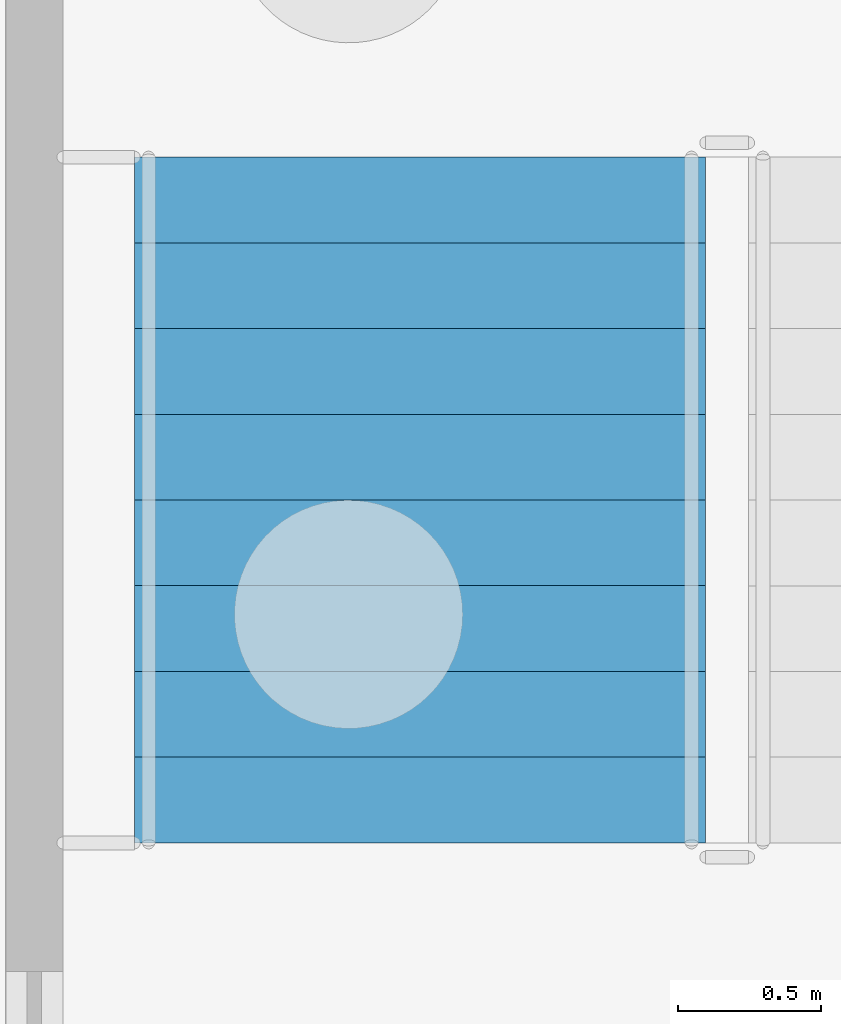
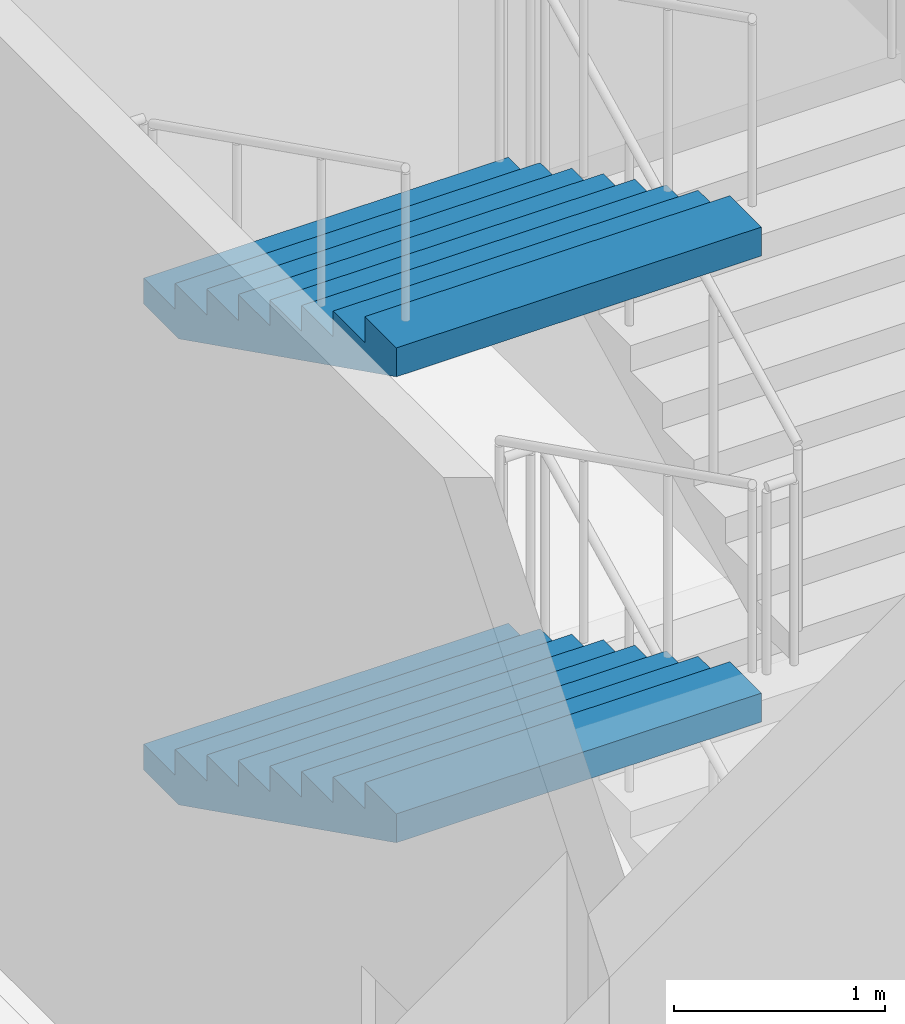
# One storey, part 98 of 129: 2 stair flights, 1 element without a shape of its own.
"""IFC4 building model written with IfcOpenShell, lengths in metres."""

from ifc_helpers import new_model, si_unit, direction, frame, origin, place, context, subcontext, project, spatial, faceted_brep, material, type_object, element, aggregate, save


model = new_model("IFC4")

# Units and contexts
model_context = context("Model", 3, precision=1e-05, world=origin(), true_north=direction((0.0, 1.0)))
body_context = subcontext(model_context, "Body", "Model", "MODEL_VIEW")
ifc_project = project(units=[si_unit("LENGTHUNIT", "METRE"), si_unit("AREAUNIT", "SQUARE_METRE"), si_unit("VOLUMEUNIT", "CUBIC_METRE"), si_unit("PLANEANGLEUNIT", "RADIAN"), si_unit("MASSUNIT", "GRAM", prefix="KILO")], contexts=[model_context])

# Site, building, storey
site_placement = place(None, origin())
site = spatial("IfcSite", under=ifc_project, at=site_placement, CompositionType="ELEMENT")
building_placement = place(site_placement, origin())
building = spatial("IfcBuilding", under=site, at=building_placement, Name="Kiln Court Media Centre", CompositionType="ELEMENT")
storey_placement = place(building_placement, origin())
storey = spatial("IfcBuildingStorey", under=building, at=storey_placement, Name="L00", CompositionType="ELEMENT", Elevation=0.0)

# Stair, stair flights
ifc_material_1 = material(Name="Concrete C40/50", Category="concrete")
stair_type = type_object("IfcStairType", Name="Concrete C40/50 dog-leg stair 2000 wide, 150 riser", PredefinedType="HALF_TURN_STAIR", material=ifc_material_1)
stair_placement = place(storey_placement, origin())
stair = element("IfcStair", 1, at=stair_placement, inside=storey, type_object=stair_type, Name="ST-14 L00", PredefinedType="HALF_TURN_STAIR")
ifc_material_2 = material(Name="Concrete C40/50", Category="concrete")
stair_flight_type = type_object("IfcStairFlightType", Name="Concrete C40/50 stair flight 2000 wide, 150 riser, 300 going", PredefinedType="STRAIGHT", material=ifc_material_2)
stair_flight_1_placement = place(storey_placement, frame((164.64990234375, 38.800048828125, 1.35009765625), z_axis=(0.0, 0.0, 1.0), x_axis=(0.0, -1.0, 0.0)))
stair_flight_1 = element("IfcStairFlight", 2, at=stair_flight_1_placement, type_object=stair_flight_type, Name="L00-ST-5013 flight 5053", NumberOfRisers=9, NumberOfTreads=8, PredefinedType="STRAIGHT", RiserHeight=0.15, TreadLength=0.3, context=body_context, shape_type="Brep", body=[
    faceted_brep([(0.335205078125, -1.0, 0.0), (2.39990234375, -1.0, 1.032470703125), (2.39990234375, -1.0, 1.199951171875), (2.10009765625, -1.0, 1.199951171875), (2.10009765625, -1.0, 1.050048828125), (1.800048828125, -1.0, 1.050048828125), (1.800048828125, -1.0, 0.89990234375), (1.5, -1.0, 0.89990234375), (1.5, -1.0, 0.75), (1.199951171875, -1.0, 0.75), (1.199951171875, -1.0, 0.60009765625), (0.89990234375, -1.0, 0.60009765625), (0.89990234375, -1.0, 0.449951171875), (0.60009765625, -1.0, 0.449951171875), (0.60009765625, -1.0, 0.300048828125), (0.300048828125, -1.0, 0.300048828125), (0.300048828125, -1.0, 0.14990234375), (0.0, -1.0, 0.14990234375), (0.0, -1.0, 0.0), (0.0, 1.0, 0.0), (0.0, 1.0, 0.14990234375), (0.300048828125, 1.0, 0.14990234375), (0.300048828125, 1.0, 0.300048828125), (0.60009765625, 1.0, 0.300048828125), (0.60009765625, 1.0, 0.449951171875), (0.89990234375, 1.0, 0.449951171875), (0.89990234375, 1.0, 0.60009765625), (1.199951171875, 1.0, 0.60009765625), (1.199951171875, 1.0, 0.75), (1.5, 1.0, 0.75), (1.5, 1.0, 0.89990234375), (1.800048828125, 1.0, 0.89990234375), (1.800048828125, 1.0, 1.050048828125), (2.10009765625, 1.0, 1.050048828125), (2.10009765625, 1.0, 1.199951171875), (2.39990234375, 1.0, 1.199951171875), (2.39990234375, 1.0, 1.032470703125), (0.335205078125, 1.0, 0.0), (2.39990234375, 0.10009765625, 1.032470703125), (0.335205078125, 0.10009765625, 0.0), (2.39990234375, 0.080078125, 1.032470703125), (0.335205078125, 0.080078125, 0.0), (2.39990234375, 0.06005859375, 1.032470703125), (0.335205078125, 0.06005859375, 0.0), (2.39990234375, 0.0400390625, 1.032470703125), (0.335205078125, 0.0400390625, 0.0), (2.39990234375, 0.02001953125, 1.032470703125), (0.335205078125, 0.02001953125, 0.0), (2.39990234375, 0.0, 1.032470703125), (0.335205078125, 0.0, 0.0), (2.39990234375, -0.02001953125, 1.032470703125), (0.335205078125, -0.02001953125, 0.0), (2.39990234375, -0.0400390625, 1.032470703125), (0.335205078125, -0.0400390625, 0.0), (2.39990234375, -0.06005859375, 1.032470703125), (0.335205078125, -0.06005859375, 0.0), (2.39990234375, -0.080078125, 1.032470703125), (0.335205078125, -0.080078125, 0.0), (2.39990234375, -0.10009765625, 1.032470703125), (0.335205078125, -0.10009765625, 0.0), (2.39990234375, 0.10009765625, 1.199951171875), (2.39990234375, 0.080078125, 1.199951171875), (2.39990234375, 0.06005859375, 1.199951171875), (2.39990234375, 0.0400390625, 1.199951171875), (2.39990234375, 0.02001953125, 1.199951171875), (2.39990234375, 0.0, 1.199951171875), (2.39990234375, -0.02001953125, 1.199951171875), (2.39990234375, -0.0400390625, 1.199951171875), (2.39990234375, -0.06005859375, 1.199951171875), (2.39990234375, -0.080078125, 1.199951171875), (2.39990234375, -0.10009765625, 1.199951171875), (2.10009765625, 0.10009765625, 1.199951171875), (2.10009765625, 0.080078125, 1.199951171875), (2.10009765625, 0.06005859375, 1.199951171875), (2.10009765625, 0.0400390625, 1.199951171875), (2.10009765625, 0.02001953125, 1.199951171875), (2.10009765625, 0.0, 1.199951171875), (2.10009765625, -0.02001953125, 1.199951171875), (2.10009765625, -0.0400390625, 1.199951171875), (2.10009765625, -0.06005859375, 1.199951171875), (2.10009765625, -0.080078125, 1.199951171875), (2.10009765625, -0.10009765625, 1.199951171875), (2.10009765625, 0.10009765625, 1.050048828125), (2.10009765625, 0.080078125, 1.050048828125), (2.10009765625, 0.06005859375, 1.050048828125), (2.10009765625, 0.0400390625, 1.050048828125), (2.10009765625, 0.02001953125, 1.050048828125), (2.10009765625, 0.0, 1.050048828125), (2.10009765625, -0.02001953125, 1.050048828125), (2.10009765625, -0.0400390625, 1.050048828125), (2.10009765625, -0.06005859375, 1.050048828125), (2.10009765625, -0.080078125, 1.050048828125), (2.10009765625, -0.10009765625, 1.050048828125), (1.800048828125, 0.10009765625, 1.050048828125), (1.800048828125, 0.080078125, 1.050048828125), (1.800048828125, 0.06005859375, 1.050048828125), (1.800048828125, 0.0400390625, 1.050048828125), (1.800048828125, 0.02001953125, 1.050048828125), (1.800048828125, 0.0, 1.050048828125), (1.800048828125, -0.02001953125, 1.050048828125), (1.800048828125, -0.0400390625, 1.050048828125), (1.800048828125, -0.06005859375, 1.050048828125), (1.800048828125, -0.080078125, 1.050048828125), (1.800048828125, -0.10009765625, 1.050048828125), (1.800048828125, 0.10009765625, 0.89990234375), (1.800048828125, 0.080078125, 0.89990234375), (1.800048828125, 0.06005859375, 0.89990234375), (1.800048828125, 0.0400390625, 0.89990234375), (1.800048828125, 0.02001953125, 0.89990234375), (1.800048828125, 0.0, 0.89990234375), (1.800048828125, -0.02001953125, 0.89990234375), (1.800048828125, -0.0400390625, 0.89990234375), (1.800048828125, -0.06005859375, 0.89990234375), (1.800048828125, -0.080078125, 0.89990234375), (1.800048828125, -0.10009765625, 0.89990234375), (1.5, 0.10009765625, 0.89990234375), (1.5, 0.080078125, 0.89990234375), (1.5, 0.06005859375, 0.89990234375), (1.5, 0.0400390625, 0.89990234375), (1.5, 0.02001953125, 0.89990234375), (1.5, 0.0, 0.89990234375), (1.5, -0.02001953125, 0.89990234375), (1.5, -0.0400390625, 0.89990234375), (1.5, -0.06005859375, 0.89990234375), (1.5, -0.080078125, 0.89990234375), (1.5, -0.10009765625, 0.89990234375), (1.5, 0.10009765625, 0.75), (1.5, 0.080078125, 0.75), (1.5, 0.06005859375, 0.75), (1.5, 0.0400390625, 0.75), (1.5, 0.02001953125, 0.75), (1.5, 0.0, 0.75), (1.5, -0.02001953125, 0.75), (1.5, -0.0400390625, 0.75), (1.5, -0.06005859375, 0.75), (1.5, -0.080078125, 0.75), (1.5, -0.10009765625, 0.75), (1.199951171875, 0.10009765625, 0.75), (1.199951171875, 0.080078125, 0.75), (1.199951171875, 0.06005859375, 0.75), (1.199951171875, 0.0400390625, 0.75), (1.199951171875, 0.02001953125, 0.75), (1.199951171875, 0.0, 0.75), (1.199951171875, -0.02001953125, 0.75), (1.199951171875, -0.0400390625, 0.75), (1.199951171875, -0.06005859375, 0.75), (1.199951171875, -0.080078125, 0.75), (1.199951171875, -0.10009765625, 0.75), (1.199951171875, 0.10009765625, 0.60009765625), (1.199951171875, 0.080078125, 0.60009765625), (1.199951171875, 0.06005859375, 0.60009765625), (1.199951171875, 0.0400390625, 0.60009765625), (1.199951171875, 0.02001953125, 0.60009765625), (1.199951171875, 0.0, 0.60009765625), (1.199951171875, -0.02001953125, 0.60009765625), (1.199951171875, -0.0400390625, 0.60009765625), (1.199951171875, -0.06005859375, 0.60009765625), (1.199951171875, -0.080078125, 0.60009765625), (1.199951171875, -0.10009765625, 0.60009765625), (0.89990234375, 0.10009765625, 0.60009765625), (0.89990234375, 0.080078125, 0.60009765625), (0.89990234375, 0.06005859375, 0.60009765625), (0.89990234375, 0.0400390625, 0.60009765625), (0.89990234375, 0.02001953125, 0.60009765625), (0.89990234375, 0.0, 0.60009765625), (0.89990234375, -0.02001953125, 0.60009765625), (0.89990234375, -0.0400390625, 0.60009765625), (0.89990234375, -0.06005859375, 0.60009765625), (0.89990234375, -0.080078125, 0.60009765625), (0.89990234375, -0.10009765625, 0.60009765625), (0.89990234375, 0.10009765625, 0.449951171875), (0.89990234375, 0.080078125, 0.449951171875), (0.89990234375, 0.06005859375, 0.449951171875), (0.89990234375, 0.0400390625, 0.449951171875), (0.89990234375, 0.02001953125, 0.449951171875), (0.89990234375, 0.0, 0.449951171875), (0.89990234375, -0.02001953125, 0.449951171875), (0.89990234375, -0.0400390625, 0.449951171875), (0.89990234375, -0.06005859375, 0.449951171875), (0.89990234375, -0.080078125, 0.449951171875), (0.89990234375, -0.10009765625, 0.449951171875), (0.60009765625, 0.10009765625, 0.449951171875), (0.60009765625, 0.080078125, 0.449951171875), (0.60009765625, 0.06005859375, 0.449951171875), (0.60009765625, 0.0400390625, 0.449951171875), (0.60009765625, 0.02001953125, 0.449951171875), (0.60009765625, 0.0, 0.449951171875), (0.60009765625, -0.02001953125, 0.449951171875), (0.60009765625, -0.0400390625, 0.449951171875), (0.60009765625, -0.06005859375, 0.449951171875), (0.60009765625, -0.080078125, 0.449951171875), (0.60009765625, -0.10009765625, 0.449951171875), (0.60009765625, 0.10009765625, 0.300048828125), (0.60009765625, 0.080078125, 0.300048828125), (0.60009765625, 0.06005859375, 0.300048828125), (0.60009765625, 0.0400390625, 0.300048828125), (0.60009765625, 0.02001953125, 0.300048828125), (0.60009765625, 0.0, 0.300048828125), (0.60009765625, -0.02001953125, 0.300048828125), (0.60009765625, -0.0400390625, 0.300048828125), (0.60009765625, -0.06005859375, 0.300048828125), (0.60009765625, -0.080078125, 0.300048828125), (0.60009765625, -0.10009765625, 0.300048828125), (0.300048828125, 0.10009765625, 0.300048828125), (0.300048828125, 0.080078125, 0.300048828125), (0.300048828125, 0.06005859375, 0.300048828125), (0.300048828125, 0.0400390625, 0.300048828125), (0.300048828125, 0.02001953125, 0.300048828125), (0.300048828125, 0.0, 0.300048828125), (0.300048828125, -0.02001953125, 0.300048828125), (0.300048828125, -0.0400390625, 0.300048828125), (0.300048828125, -0.06005859375, 0.300048828125), (0.300048828125, -0.080078125, 0.300048828125), (0.300048828125, -0.10009765625, 0.300048828125), (0.300048828125, 0.10009765625, 0.14990234375), (0.300048828125, 0.080078125, 0.14990234375), (0.300048828125, 0.06005859375, 0.14990234375), (0.300048828125, 0.0400390625, 0.14990234375), (0.300048828125, 0.02001953125, 0.14990234375), (0.300048828125, 0.0, 0.14990234375), (0.300048828125, -0.02001953125, 0.14990234375), (0.300048828125, -0.0400390625, 0.14990234375), (0.300048828125, -0.06005859375, 0.14990234375), (0.300048828125, -0.080078125, 0.14990234375), (0.300048828125, -0.10009765625, 0.14990234375), (0.0, 0.10009765625, 0.14990234375), (0.0, 0.080078125, 0.14990234375), (0.0, 0.06005859375, 0.14990234375), (0.0, 0.0400390625, 0.14990234375), (0.0, 0.02001953125, 0.14990234375), (0.0, 0.0, 0.14990234375), (0.0, -0.02001953125, 0.14990234375), (0.0, -0.0400390625, 0.14990234375), (0.0, -0.06005859375, 0.14990234375), (0.0, -0.080078125, 0.14990234375), (0.0, -0.10009765625, 0.14990234375), (0.0, 0.10009765625, 0.0), (0.0, 0.080078125, 0.0), (0.0, 0.06005859375, 0.0), (0.0, 0.0400390625, 0.0), (0.0, 0.02001953125, 0.0), (0.0, 0.0, 0.0), (0.0, -0.02001953125, 0.0), (0.0, -0.0400390625, 0.0), (0.0, -0.06005859375, 0.0), (0.0, -0.080078125, 0.0), (0.0, -0.10009765625, 0.0)], [[[0, 1, 2, 3, 4, 5, 6, 7, 8, 9, 10, 11, 12, 13, 14, 15, 16, 17, 18]], [[19, 20, 21, 22, 23, 24, 25, 26, 27, 28, 29, 30, 31, 32, 33, 34, 35, 36, 37]], [[37, 36, 38, 39]], [[39, 38, 40, 41]], [[41, 40, 42, 43]], [[43, 42, 44, 45]], [[45, 44, 46, 47]], [[47, 46, 48, 49]], [[49, 48, 50, 51]], [[51, 50, 52, 53]], [[53, 52, 54, 55]], [[55, 54, 56, 57]], [[57, 56, 58, 59]], [[59, 58, 1, 0]], [[36, 35, 60, 38]], [[38, 60, 61, 40]], [[40, 61, 62, 42]], [[42, 62, 63, 44]], [[44, 63, 64, 46]], [[46, 64, 65, 48]], [[48, 65, 66, 50]], [[50, 66, 67, 52]], [[52, 67, 68, 54]], [[54, 68, 69, 56]], [[56, 69, 70, 58]], [[58, 70, 2, 1]], [[35, 34, 71, 60]], [[60, 71, 72, 61]], [[61, 72, 73, 62]], [[62, 73, 74, 63]], [[63, 74, 75, 64]], [[64, 75, 76, 65]], [[65, 76, 77, 66]], [[66, 77, 78, 67]], [[67, 78, 79, 68]], [[68, 79, 80, 69]], [[69, 80, 81, 70]], [[70, 81, 3, 2]], [[34, 33, 82, 71]], [[71, 82, 83, 72]], [[72, 83, 84, 73]], [[73, 84, 85, 74]], [[74, 85, 86, 75]], [[75, 86, 87, 76]], [[76, 87, 88, 77]], [[77, 88, 89, 78]], [[78, 89, 90, 79]], [[79, 90, 91, 80]], [[80, 91, 92, 81]], [[81, 92, 4, 3]], [[33, 32, 93, 82]], [[82, 93, 94, 83]], [[83, 94, 95, 84]], [[84, 95, 96, 85]], [[85, 96, 97, 86]], [[86, 97, 98, 87]], [[87, 98, 99, 88]], [[88, 99, 100, 89]], [[89, 100, 101, 90]], [[90, 101, 102, 91]], [[91, 102, 103, 92]], [[92, 103, 5, 4]], [[32, 31, 104, 93]], [[93, 104, 105, 94]], [[94, 105, 106, 95]], [[95, 106, 107, 96]], [[96, 107, 108, 97]], [[97, 108, 109, 98]], [[98, 109, 110, 99]], [[99, 110, 111, 100]], [[100, 111, 112, 101]], [[101, 112, 113, 102]], [[102, 113, 114, 103]], [[103, 114, 6, 5]], [[31, 30, 115, 104]], [[104, 115, 116, 105]], [[105, 116, 117, 106]], [[106, 117, 118, 107]], [[107, 118, 119, 108]], [[108, 119, 120, 109]], [[109, 120, 121, 110]], [[110, 121, 122, 111]], [[111, 122, 123, 112]], [[112, 123, 124, 113]], [[113, 124, 125, 114]], [[114, 125, 7, 6]], [[30, 29, 126, 115]], [[115, 126, 127, 116]], [[116, 127, 128, 117]], [[117, 128, 129, 118]], [[118, 129, 130, 119]], [[119, 130, 131, 120]], [[120, 131, 132, 121]], [[121, 132, 133, 122]], [[122, 133, 134, 123]], [[123, 134, 135, 124]], [[124, 135, 136, 125]], [[125, 136, 8, 7]], [[29, 28, 137, 126]], [[126, 137, 138, 127]], [[127, 138, 139, 128]], [[128, 139, 140, 129]], [[129, 140, 141, 130]], [[130, 141, 142, 131]], [[131, 142, 143, 132]], [[132, 143, 144, 133]], [[133, 144, 145, 134]], [[134, 145, 146, 135]], [[135, 146, 147, 136]], [[136, 147, 9, 8]], [[28, 27, 148, 137]], [[137, 148, 149, 138]], [[138, 149, 150, 139]], [[139, 150, 151, 140]], [[140, 151, 152, 141]], [[141, 152, 153, 142]], [[142, 153, 154, 143]], [[143, 154, 155, 144]], [[144, 155, 156, 145]], [[145, 156, 157, 146]], [[146, 157, 158, 147]], [[147, 158, 10, 9]], [[27, 26, 159, 148]], [[148, 159, 160, 149]], [[149, 160, 161, 150]], [[150, 161, 162, 151]], [[151, 162, 163, 152]], [[152, 163, 164, 153]], [[153, 164, 165, 154]], [[154, 165, 166, 155]], [[155, 166, 167, 156]], [[156, 167, 168, 157]], [[157, 168, 169, 158]], [[158, 169, 11, 10]], [[26, 25, 170, 159]], [[159, 170, 171, 160]], [[160, 171, 172, 161]], [[161, 172, 173, 162]], [[162, 173, 174, 163]], [[163, 174, 175, 164]], [[164, 175, 176, 165]], [[165, 176, 177, 166]], [[166, 177, 178, 167]], [[167, 178, 179, 168]], [[168, 179, 180, 169]], [[169, 180, 12, 11]], [[25, 24, 181, 170]], [[170, 181, 182, 171]], [[171, 182, 183, 172]], [[172, 183, 184, 173]], [[173, 184, 185, 174]], [[174, 185, 186, 175]], [[175, 186, 187, 176]], [[176, 187, 188, 177]], [[177, 188, 189, 178]], [[178, 189, 190, 179]], [[179, 190, 191, 180]], [[180, 191, 13, 12]], [[24, 23, 192, 181]], [[181, 192, 193, 182]], [[182, 193, 194, 183]], [[183, 194, 195, 184]], [[184, 195, 196, 185]], [[185, 196, 197, 186]], [[186, 197, 198, 187]], [[187, 198, 199, 188]], [[188, 199, 200, 189]], [[189, 200, 201, 190]], [[190, 201, 202, 191]], [[191, 202, 14, 13]], [[23, 22, 203, 192]], [[192, 203, 204, 193]], [[193, 204, 205, 194]], [[194, 205, 206, 195]], [[195, 206, 207, 196]], [[196, 207, 208, 197]], [[197, 208, 209, 198]], [[198, 209, 210, 199]], [[199, 210, 211, 200]], [[200, 211, 212, 201]], [[201, 212, 213, 202]], [[202, 213, 15, 14]], [[22, 21, 214, 203]], [[203, 214, 215, 204]], [[204, 215, 216, 205]], [[205, 216, 217, 206]], [[206, 217, 218, 207]], [[207, 218, 219, 208]], [[208, 219, 220, 209]], [[209, 220, 221, 210]], [[210, 221, 222, 211]], [[211, 222, 223, 212]], [[212, 223, 224, 213]], [[213, 224, 16, 15]], [[21, 20, 225, 214]], [[214, 225, 226, 215]], [[215, 226, 227, 216]], [[216, 227, 228, 217]], [[217, 228, 229, 218]], [[218, 229, 230, 219]], [[219, 230, 231, 220]], [[220, 231, 232, 221]], [[221, 232, 233, 222]], [[222, 233, 234, 223]], [[223, 234, 235, 224]], [[224, 235, 17, 16]], [[20, 19, 236, 225]], [[225, 236, 237, 226]], [[226, 237, 238, 227]], [[227, 238, 239, 228]], [[228, 239, 240, 229]], [[229, 240, 241, 230]], [[230, 241, 242, 231]], [[231, 242, 243, 232]], [[232, 243, 244, 233]], [[233, 244, 245, 234]], [[234, 245, 246, 235]], [[235, 246, 18, 17]], [[19, 37, 39, 236]], [[236, 39, 41, 237]], [[237, 41, 43, 238]], [[238, 43, 45, 239]], [[239, 45, 47, 240]], [[240, 47, 49, 241]], [[241, 49, 51, 242]], [[242, 51, 53, 243]], [[243, 53, 55, 244]], [[244, 55, 57, 245]], [[245, 57, 59, 246]], [[246, 59, 0, 18]]]),
])
stair_flight_2_placement = place(storey_placement, frame((164.64990234375, 38.800048828125, 4.050048828125), z_axis=(0.0, 0.0, 1.0), x_axis=(0.0, -1.0, 0.0)))
stair_flight_2 = element("IfcStairFlight", 3, at=stair_flight_2_placement, type_object=stair_flight_type, Name="L00-ST-5013 flight 5055", NumberOfRisers=9, NumberOfTreads=8, PredefinedType="STRAIGHT", RiserHeight=0.15, TreadLength=0.3, context=body_context, shape_type="Brep", body=[
    faceted_brep([(0.335205078125, -1.0, 0.0), (2.39990234375, -1.0, 1.032470703125), (2.39990234375, -1.0, 1.199951171875), (2.10009765625, -1.0, 1.199951171875), (2.10009765625, -1.0, 1.050048828125), (1.800048828125, -1.0, 1.050048828125), (1.800048828125, -1.0, 0.89990234375), (1.5, -1.0, 0.89990234375), (1.5, -1.0, 0.75), (1.199951171875, -1.0, 0.75), (1.199951171875, -1.0, 0.60009765625), (0.89990234375, -1.0, 0.60009765625), (0.89990234375, -1.0, 0.449951171875), (0.60009765625, -1.0, 0.449951171875), (0.60009765625, -1.0, 0.300048828125), (0.300048828125, -1.0, 0.300048828125), (0.300048828125, -1.0, 0.14990234375), (0.0, -1.0, 0.14990234375), (0.0, -1.0, 0.0), (0.0, 1.0, 0.0), (0.0, 1.0, 0.14990234375), (0.300048828125, 1.0, 0.14990234375), (0.300048828125, 1.0, 0.300048828125), (0.60009765625, 1.0, 0.300048828125), (0.60009765625, 1.0, 0.449951171875), (0.89990234375, 1.0, 0.449951171875), (0.89990234375, 1.0, 0.60009765625), (1.199951171875, 1.0, 0.60009765625), (1.199951171875, 1.0, 0.75), (1.5, 1.0, 0.75), (1.5, 1.0, 0.89990234375), (1.800048828125, 1.0, 0.89990234375), (1.800048828125, 1.0, 1.050048828125), (2.10009765625, 1.0, 1.050048828125), (2.10009765625, 1.0, 1.199951171875), (2.39990234375, 1.0, 1.199951171875), (2.39990234375, 1.0, 1.032470703125), (0.335205078125, 1.0, 0.0), (2.39990234375, 0.10009765625, 1.032470703125), (0.335205078125, 0.10009765625, 0.0), (2.39990234375, 0.080078125, 1.032470703125), (0.335205078125, 0.080078125, 0.0), (2.39990234375, 0.06005859375, 1.032470703125), (0.335205078125, 0.06005859375, 0.0), (2.39990234375, 0.0400390625, 1.032470703125), (0.335205078125, 0.0400390625, 0.0), (2.39990234375, 0.02001953125, 1.032470703125), (0.335205078125, 0.02001953125, 0.0), (2.39990234375, 0.0, 1.032470703125), (0.335205078125, 0.0, 0.0), (2.39990234375, -0.02001953125, 1.032470703125), (0.335205078125, -0.02001953125, 0.0), (2.39990234375, -0.0400390625, 1.032470703125), (0.335205078125, -0.0400390625, 0.0), (2.39990234375, -0.06005859375, 1.032470703125), (0.335205078125, -0.06005859375, 0.0), (2.39990234375, -0.080078125, 1.032470703125), (0.335205078125, -0.080078125, 0.0), (2.39990234375, -0.10009765625, 1.032470703125), (0.335205078125, -0.10009765625, 0.0), (2.39990234375, 0.10009765625, 1.199951171875), (2.39990234375, 0.080078125, 1.199951171875), (2.39990234375, 0.06005859375, 1.199951171875), (2.39990234375, 0.0400390625, 1.199951171875), (2.39990234375, 0.02001953125, 1.199951171875), (2.39990234375, 0.0, 1.199951171875), (2.39990234375, -0.02001953125, 1.199951171875), (2.39990234375, -0.0400390625, 1.199951171875), (2.39990234375, -0.06005859375, 1.199951171875), (2.39990234375, -0.080078125, 1.199951171875), (2.39990234375, -0.10009765625, 1.199951171875), (2.10009765625, 0.10009765625, 1.199951171875), (2.10009765625, 0.080078125, 1.199951171875), (2.10009765625, 0.06005859375, 1.199951171875), (2.10009765625, 0.0400390625, 1.199951171875), (2.10009765625, 0.02001953125, 1.199951171875), (2.10009765625, 0.0, 1.199951171875), (2.10009765625, -0.02001953125, 1.199951171875), (2.10009765625, -0.0400390625, 1.199951171875), (2.10009765625, -0.06005859375, 1.199951171875), (2.10009765625, -0.080078125, 1.199951171875), (2.10009765625, -0.10009765625, 1.199951171875), (2.10009765625, 0.10009765625, 1.050048828125), (2.10009765625, 0.080078125, 1.050048828125), (2.10009765625, 0.06005859375, 1.050048828125), (2.10009765625, 0.0400390625, 1.050048828125), (2.10009765625, 0.02001953125, 1.050048828125), (2.10009765625, 0.0, 1.050048828125), (2.10009765625, -0.02001953125, 1.050048828125), (2.10009765625, -0.0400390625, 1.050048828125), (2.10009765625, -0.06005859375, 1.050048828125), (2.10009765625, -0.080078125, 1.050048828125), (2.10009765625, -0.10009765625, 1.050048828125), (1.800048828125, 0.10009765625, 1.050048828125), (1.800048828125, 0.080078125, 1.050048828125), (1.800048828125, 0.06005859375, 1.050048828125), (1.800048828125, 0.0400390625, 1.050048828125), (1.800048828125, 0.02001953125, 1.050048828125), (1.800048828125, 0.0, 1.050048828125), (1.800048828125, -0.02001953125, 1.050048828125), (1.800048828125, -0.0400390625, 1.050048828125), (1.800048828125, -0.06005859375, 1.050048828125), (1.800048828125, -0.080078125, 1.050048828125), (1.800048828125, -0.10009765625, 1.050048828125), (1.800048828125, 0.10009765625, 0.89990234375), (1.800048828125, 0.080078125, 0.89990234375), (1.800048828125, 0.06005859375, 0.89990234375), (1.800048828125, 0.0400390625, 0.89990234375), (1.800048828125, 0.02001953125, 0.89990234375), (1.800048828125, 0.0, 0.89990234375), (1.800048828125, -0.02001953125, 0.89990234375), (1.800048828125, -0.0400390625, 0.89990234375), (1.800048828125, -0.06005859375, 0.89990234375), (1.800048828125, -0.080078125, 0.89990234375), (1.800048828125, -0.10009765625, 0.89990234375), (1.5, 0.10009765625, 0.89990234375), (1.5, 0.080078125, 0.89990234375), (1.5, 0.06005859375, 0.89990234375), (1.5, 0.0400390625, 0.89990234375), (1.5, 0.02001953125, 0.89990234375), (1.5, 0.0, 0.89990234375), (1.5, -0.02001953125, 0.89990234375), (1.5, -0.0400390625, 0.89990234375), (1.5, -0.06005859375, 0.89990234375), (1.5, -0.080078125, 0.89990234375), (1.5, -0.10009765625, 0.89990234375), (1.5, 0.10009765625, 0.75), (1.5, 0.080078125, 0.75), (1.5, 0.06005859375, 0.75), (1.5, 0.0400390625, 0.75), (1.5, 0.02001953125, 0.75), (1.5, 0.0, 0.75), (1.5, -0.02001953125, 0.75), (1.5, -0.0400390625, 0.75), (1.5, -0.06005859375, 0.75), (1.5, -0.080078125, 0.75), (1.5, -0.10009765625, 0.75), (1.199951171875, 0.10009765625, 0.75), (1.199951171875, 0.080078125, 0.75), (1.199951171875, 0.06005859375, 0.75), (1.199951171875, 0.0400390625, 0.75), (1.199951171875, 0.02001953125, 0.75), (1.199951171875, 0.0, 0.75), (1.199951171875, -0.02001953125, 0.75), (1.199951171875, -0.0400390625, 0.75), (1.199951171875, -0.06005859375, 0.75), (1.199951171875, -0.080078125, 0.75), (1.199951171875, -0.10009765625, 0.75), (1.199951171875, 0.10009765625, 0.60009765625), (1.199951171875, 0.080078125, 0.60009765625), (1.199951171875, 0.06005859375, 0.60009765625), (1.199951171875, 0.0400390625, 0.60009765625), (1.199951171875, 0.02001953125, 0.60009765625), (1.199951171875, 0.0, 0.60009765625), (1.199951171875, -0.02001953125, 0.60009765625), (1.199951171875, -0.0400390625, 0.60009765625), (1.199951171875, -0.06005859375, 0.60009765625), (1.199951171875, -0.080078125, 0.60009765625), (1.199951171875, -0.10009765625, 0.60009765625), (0.89990234375, 0.10009765625, 0.60009765625), (0.89990234375, 0.080078125, 0.60009765625), (0.89990234375, 0.06005859375, 0.60009765625), (0.89990234375, 0.0400390625, 0.60009765625), (0.89990234375, 0.02001953125, 0.60009765625), (0.89990234375, 0.0, 0.60009765625), (0.89990234375, -0.02001953125, 0.60009765625), (0.89990234375, -0.0400390625, 0.60009765625), (0.89990234375, -0.06005859375, 0.60009765625), (0.89990234375, -0.080078125, 0.60009765625), (0.89990234375, -0.10009765625, 0.60009765625), (0.89990234375, 0.10009765625, 0.449951171875), (0.89990234375, 0.080078125, 0.449951171875), (0.89990234375, 0.06005859375, 0.449951171875), (0.89990234375, 0.0400390625, 0.449951171875), (0.89990234375, 0.02001953125, 0.449951171875), (0.89990234375, 0.0, 0.449951171875), (0.89990234375, -0.02001953125, 0.449951171875), (0.89990234375, -0.0400390625, 0.449951171875), (0.89990234375, -0.06005859375, 0.449951171875), (0.89990234375, -0.080078125, 0.449951171875), (0.89990234375, -0.10009765625, 0.449951171875), (0.60009765625, 0.10009765625, 0.449951171875), (0.60009765625, 0.080078125, 0.449951171875), (0.60009765625, 0.06005859375, 0.449951171875), (0.60009765625, 0.0400390625, 0.449951171875), (0.60009765625, 0.02001953125, 0.449951171875), (0.60009765625, 0.0, 0.449951171875), (0.60009765625, -0.02001953125, 0.449951171875), (0.60009765625, -0.0400390625, 0.449951171875), (0.60009765625, -0.06005859375, 0.449951171875), (0.60009765625, -0.080078125, 0.449951171875), (0.60009765625, -0.10009765625, 0.449951171875), (0.60009765625, 0.10009765625, 0.300048828125), (0.60009765625, 0.080078125, 0.300048828125), (0.60009765625, 0.06005859375, 0.300048828125), (0.60009765625, 0.0400390625, 0.300048828125), (0.60009765625, 0.02001953125, 0.300048828125), (0.60009765625, 0.0, 0.300048828125), (0.60009765625, -0.02001953125, 0.300048828125), (0.60009765625, -0.0400390625, 0.300048828125), (0.60009765625, -0.06005859375, 0.300048828125), (0.60009765625, -0.080078125, 0.300048828125), (0.60009765625, -0.10009765625, 0.300048828125), (0.300048828125, 0.10009765625, 0.300048828125), (0.300048828125, 0.080078125, 0.300048828125), (0.300048828125, 0.06005859375, 0.300048828125), (0.300048828125, 0.0400390625, 0.300048828125), (0.300048828125, 0.02001953125, 0.300048828125), (0.300048828125, 0.0, 0.300048828125), (0.300048828125, -0.02001953125, 0.300048828125), (0.300048828125, -0.0400390625, 0.300048828125), (0.300048828125, -0.06005859375, 0.300048828125), (0.300048828125, -0.080078125, 0.300048828125), (0.300048828125, -0.10009765625, 0.300048828125), (0.300048828125, 0.10009765625, 0.14990234375), (0.300048828125, 0.080078125, 0.14990234375), (0.300048828125, 0.06005859375, 0.14990234375), (0.300048828125, 0.0400390625, 0.14990234375), (0.300048828125, 0.02001953125, 0.14990234375), (0.300048828125, 0.0, 0.14990234375), (0.300048828125, -0.02001953125, 0.14990234375), (0.300048828125, -0.0400390625, 0.14990234375), (0.300048828125, -0.06005859375, 0.14990234375), (0.300048828125, -0.080078125, 0.14990234375), (0.300048828125, -0.10009765625, 0.14990234375), (0.0, 0.10009765625, 0.14990234375), (0.0, 0.080078125, 0.14990234375), (0.0, 0.06005859375, 0.14990234375), (0.0, 0.0400390625, 0.14990234375), (0.0, 0.02001953125, 0.14990234375), (0.0, 0.0, 0.14990234375), (0.0, -0.02001953125, 0.14990234375), (0.0, -0.0400390625, 0.14990234375), (0.0, -0.06005859375, 0.14990234375), (0.0, -0.080078125, 0.14990234375), (0.0, -0.10009765625, 0.14990234375), (0.0, 0.10009765625, 0.0), (0.0, 0.080078125, 0.0), (0.0, 0.06005859375, 0.0), (0.0, 0.0400390625, 0.0), (0.0, 0.02001953125, 0.0), (0.0, 0.0, 0.0), (0.0, -0.02001953125, 0.0), (0.0, -0.0400390625, 0.0), (0.0, -0.06005859375, 0.0), (0.0, -0.080078125, 0.0), (0.0, -0.10009765625, 0.0)], [[[0, 1, 2, 3, 4, 5, 6, 7, 8, 9, 10, 11, 12, 13, 14, 15, 16, 17, 18]], [[19, 20, 21, 22, 23, 24, 25, 26, 27, 28, 29, 30, 31, 32, 33, 34, 35, 36, 37]], [[37, 36, 38, 39]], [[39, 38, 40, 41]], [[41, 40, 42, 43]], [[43, 42, 44, 45]], [[45, 44, 46, 47]], [[47, 46, 48, 49]], [[49, 48, 50, 51]], [[51, 50, 52, 53]], [[53, 52, 54, 55]], [[55, 54, 56, 57]], [[57, 56, 58, 59]], [[59, 58, 1, 0]], [[36, 35, 60, 38]], [[38, 60, 61, 40]], [[40, 61, 62, 42]], [[42, 62, 63, 44]], [[44, 63, 64, 46]], [[46, 64, 65, 48]], [[48, 65, 66, 50]], [[50, 66, 67, 52]], [[52, 67, 68, 54]], [[54, 68, 69, 56]], [[56, 69, 70, 58]], [[58, 70, 2, 1]], [[35, 34, 71, 60]], [[60, 71, 72, 61]], [[61, 72, 73, 62]], [[62, 73, 74, 63]], [[63, 74, 75, 64]], [[64, 75, 76, 65]], [[65, 76, 77, 66]], [[66, 77, 78, 67]], [[67, 78, 79, 68]], [[68, 79, 80, 69]], [[69, 80, 81, 70]], [[70, 81, 3, 2]], [[34, 33, 82, 71]], [[71, 82, 83, 72]], [[72, 83, 84, 73]], [[73, 84, 85, 74]], [[74, 85, 86, 75]], [[75, 86, 87, 76]], [[76, 87, 88, 77]], [[77, 88, 89, 78]], [[78, 89, 90, 79]], [[79, 90, 91, 80]], [[80, 91, 92, 81]], [[81, 92, 4, 3]], [[33, 32, 93, 82]], [[82, 93, 94, 83]], [[83, 94, 95, 84]], [[84, 95, 96, 85]], [[85, 96, 97, 86]], [[86, 97, 98, 87]], [[87, 98, 99, 88]], [[88, 99, 100, 89]], [[89, 100, 101, 90]], [[90, 101, 102, 91]], [[91, 102, 103, 92]], [[92, 103, 5, 4]], [[32, 31, 104, 93]], [[93, 104, 105, 94]], [[94, 105, 106, 95]], [[95, 106, 107, 96]], [[96, 107, 108, 97]], [[97, 108, 109, 98]], [[98, 109, 110, 99]], [[99, 110, 111, 100]], [[100, 111, 112, 101]], [[101, 112, 113, 102]], [[102, 113, 114, 103]], [[103, 114, 6, 5]], [[31, 30, 115, 104]], [[104, 115, 116, 105]], [[105, 116, 117, 106]], [[106, 117, 118, 107]], [[107, 118, 119, 108]], [[108, 119, 120, 109]], [[109, 120, 121, 110]], [[110, 121, 122, 111]], [[111, 122, 123, 112]], [[112, 123, 124, 113]], [[113, 124, 125, 114]], [[114, 125, 7, 6]], [[30, 29, 126, 115]], [[115, 126, 127, 116]], [[116, 127, 128, 117]], [[117, 128, 129, 118]], [[118, 129, 130, 119]], [[119, 130, 131, 120]], [[120, 131, 132, 121]], [[121, 132, 133, 122]], [[122, 133, 134, 123]], [[123, 134, 135, 124]], [[124, 135, 136, 125]], [[125, 136, 8, 7]], [[29, 28, 137, 126]], [[126, 137, 138, 127]], [[127, 138, 139, 128]], [[128, 139, 140, 129]], [[129, 140, 141, 130]], [[130, 141, 142, 131]], [[131, 142, 143, 132]], [[132, 143, 144, 133]], [[133, 144, 145, 134]], [[134, 145, 146, 135]], [[135, 146, 147, 136]], [[136, 147, 9, 8]], [[28, 27, 148, 137]], [[137, 148, 149, 138]], [[138, 149, 150, 139]], [[139, 150, 151, 140]], [[140, 151, 152, 141]], [[141, 152, 153, 142]], [[142, 153, 154, 143]], [[143, 154, 155, 144]], [[144, 155, 156, 145]], [[145, 156, 157, 146]], [[146, 157, 158, 147]], [[147, 158, 10, 9]], [[27, 26, 159, 148]], [[148, 159, 160, 149]], [[149, 160, 161, 150]], [[150, 161, 162, 151]], [[151, 162, 163, 152]], [[152, 163, 164, 153]], [[153, 164, 165, 154]], [[154, 165, 166, 155]], [[155, 166, 167, 156]], [[156, 167, 168, 157]], [[157, 168, 169, 158]], [[158, 169, 11, 10]], [[26, 25, 170, 159]], [[159, 170, 171, 160]], [[160, 171, 172, 161]], [[161, 172, 173, 162]], [[162, 173, 174, 163]], [[163, 174, 175, 164]], [[164, 175, 176, 165]], [[165, 176, 177, 166]], [[166, 177, 178, 167]], [[167, 178, 179, 168]], [[168, 179, 180, 169]], [[169, 180, 12, 11]], [[25, 24, 181, 170]], [[170, 181, 182, 171]], [[171, 182, 183, 172]], [[172, 183, 184, 173]], [[173, 184, 185, 174]], [[174, 185, 186, 175]], [[175, 186, 187, 176]], [[176, 187, 188, 177]], [[177, 188, 189, 178]], [[178, 189, 190, 179]], [[179, 190, 191, 180]], [[180, 191, 13, 12]], [[24, 23, 192, 181]], [[181, 192, 193, 182]], [[182, 193, 194, 183]], [[183, 194, 195, 184]], [[184, 195, 196, 185]], [[185, 196, 197, 186]], [[186, 197, 198, 187]], [[187, 198, 199, 188]], [[188, 199, 200, 189]], [[189, 200, 201, 190]], [[190, 201, 202, 191]], [[191, 202, 14, 13]], [[23, 22, 203, 192]], [[192, 203, 204, 193]], [[193, 204, 205, 194]], [[194, 205, 206, 195]], [[195, 206, 207, 196]], [[196, 207, 208, 197]], [[197, 208, 209, 198]], [[198, 209, 210, 199]], [[199, 210, 211, 200]], [[200, 211, 212, 201]], [[201, 212, 213, 202]], [[202, 213, 15, 14]], [[22, 21, 214, 203]], [[203, 214, 215, 204]], [[204, 215, 216, 205]], [[205, 216, 217, 206]], [[206, 217, 218, 207]], [[207, 218, 219, 208]], [[208, 219, 220, 209]], [[209, 220, 221, 210]], [[210, 221, 222, 211]], [[211, 222, 223, 212]], [[212, 223, 224, 213]], [[213, 224, 16, 15]], [[21, 20, 225, 214]], [[214, 225, 226, 215]], [[215, 226, 227, 216]], [[216, 227, 228, 217]], [[217, 228, 229, 218]], [[218, 229, 230, 219]], [[219, 230, 231, 220]], [[220, 231, 232, 221]], [[221, 232, 233, 222]], [[222, 233, 234, 223]], [[223, 234, 235, 224]], [[224, 235, 17, 16]], [[20, 19, 236, 225]], [[225, 236, 237, 226]], [[226, 237, 238, 227]], [[227, 238, 239, 228]], [[228, 239, 240, 229]], [[229, 240, 241, 230]], [[230, 241, 242, 231]], [[231, 242, 243, 232]], [[232, 243, 244, 233]], [[233, 244, 245, 234]], [[234, 245, 246, 235]], [[235, 246, 18, 17]], [[19, 37, 39, 236]], [[236, 39, 41, 237]], [[237, 41, 43, 238]], [[238, 43, 45, 239]], [[239, 45, 47, 240]], [[240, 47, 49, 241]], [[241, 49, 51, 242]], [[242, 51, 53, 243]], [[243, 53, 55, 244]], [[244, 55, 57, 245]], [[245, 57, 59, 246]], [[246, 59, 0, 18]]]),
])
aggregate(stair, [stair_flight_1, stair_flight_2])

save(model, "model.ifc")
